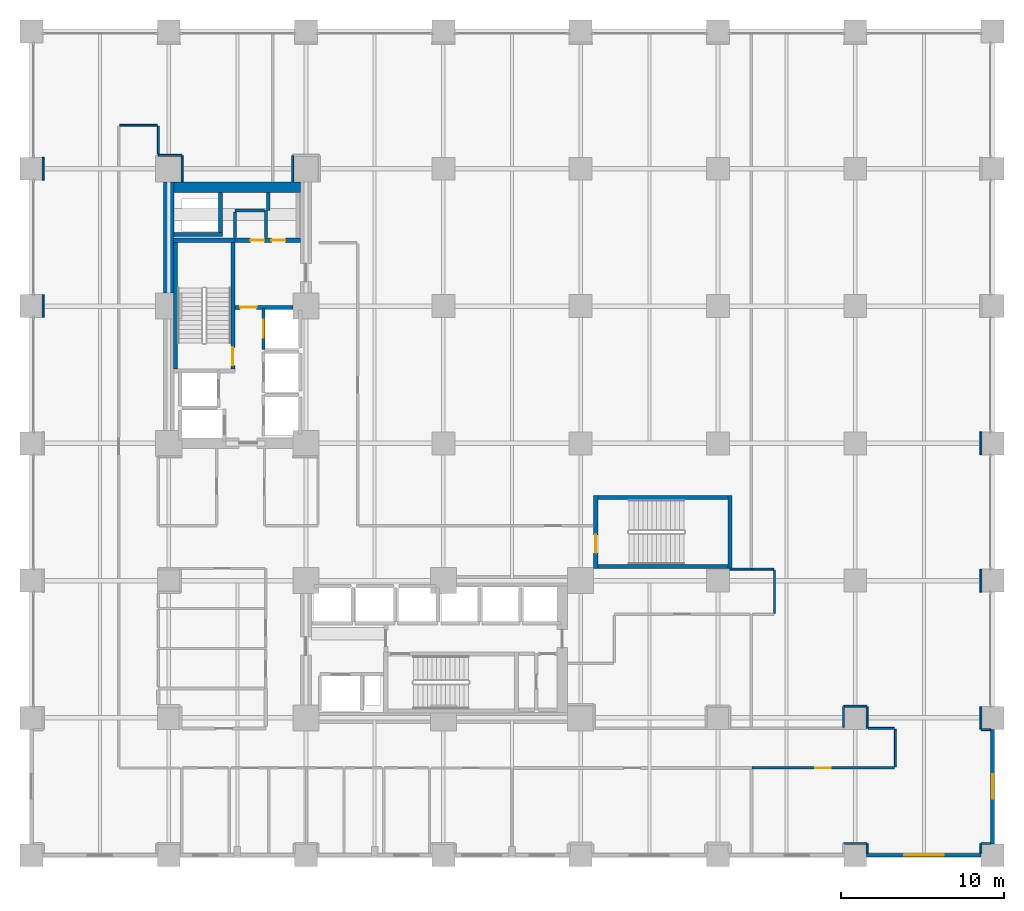
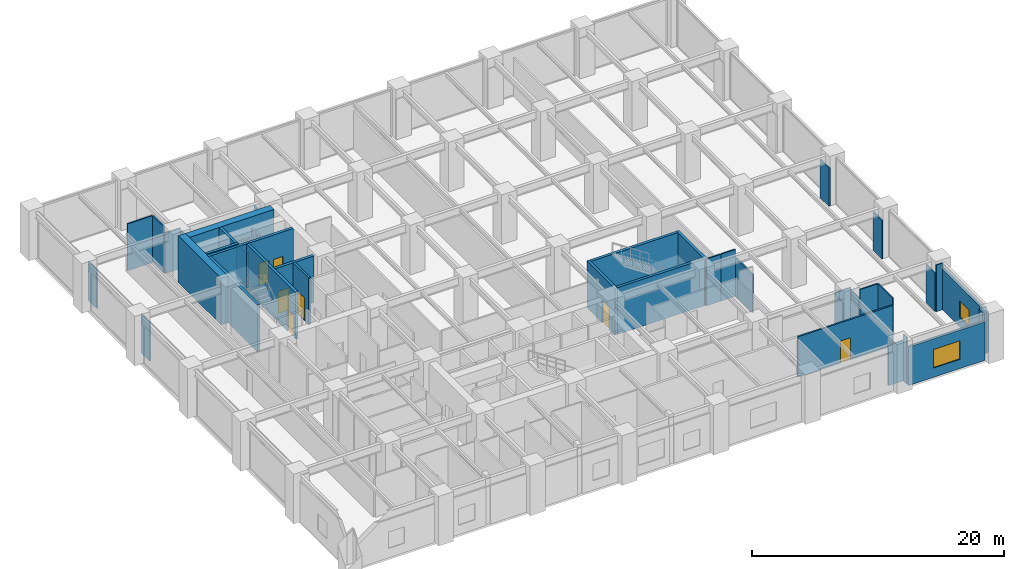
# One storey, part 22 of 24: 44 walls, 7 doors, 2 windows, 9 openings.
"""IFC4 building model written with IfcOpenShell, lengths in metres."""

from ifc_helpers import new_model, si_unit, direction, frame, frame_2d, origin, place, context, subcontext, project, spatial, rectangle, extrude, material, layer, layer_set, type_object, element, fill, save


model = new_model("IFC4")

# Units and contexts
model_context = context("Model", 3, precision=1e-05, world=origin(), true_north=direction((0.0, 1.0)))
body_context = subcontext(model_context, "Body", "Model", "MODEL_VIEW")
ifc_project = project(units=[si_unit("LENGTHUNIT", "METRE"), si_unit("AREAUNIT", "SQUARE_METRE"), si_unit("VOLUMEUNIT", "CUBIC_METRE"), si_unit("PLANEANGLEUNIT", "RADIAN"), si_unit("MASSUNIT", "GRAM", prefix="KILO")], contexts=[model_context])

# Site, building, storey
site_placement = place(None, origin())
site = spatial("IfcSite", under=ifc_project, at=site_placement, CompositionType="ELEMENT")
building_placement = place(site_placement, origin())
building = spatial("IfcBuilding", under=site, at=building_placement, Name="Nerrivon Quay Data Exchange", CompositionType="ELEMENT")
storey_placement = place(building_placement, frame((0.0, 0.0, 10.199951171875)))
storey = spatial("IfcBuildingStorey", under=building, at=storey_placement, Name="L02", CompositionType="ELEMENT", Elevation=10.199951171875)

# Wall, opening, window
ifc_material_1 = material(Name="Architectural terracotta precast concrete N50 (50 MPa)", Category="masonry")
ifc_layer_1 = layer(ifc_material_1, 0.239990234375)
ifc_layer_set_1 = layer_set([ifc_layer_1], Name="Architectural terracotta precast concrete N50 (50 MPa)")
wall_type_1 = type_object("IfcWallType", Name="EW-PREC-240", PredefinedType="STANDARD", material=ifc_layer_set_1)
wall_1_placement = place(storey_placement, frame((58.800048828125, 7.699951171875, 0.0), z_axis=(0.0, 0.0, 1.0), x_axis=(0.0, -1.0, 0.0)))
wall_1 = element("IfcWall", 1, at=wall_1_placement, inside=storey, type_object=wall_type_1, Name="L02 Podium Precast Spandrel Wall 19", PredefinedType="STANDARD", context=body_context, shape_type="SweptSolid", body=[
    extrude(rectangle(XDim=7.0, YDim=0.239990234375, at=frame_2d((3.5, 0.0))), origin(), (0.0, 0.0, 1.0), 3.9130859375),
])
opening_1_placement = place(wall_1_placement, frame((2.75, 0.0, 0.89990234375)))
opening_1 = element("IfcOpeningElement", 2, at=opening_1_placement, cuts=wall_1, Name="Opening WN4", PredefinedType="OPENING", context=body_context, shape_type="SweptSolid", body=[
    extrude(rectangle(XDim=1.5, YDim=1.60009765625, at=frame_2d((0.75, 0.800048828125))), frame((0.0, 0.1298828125, 0.0), z_axis=(0.0, -1.0, 0.0), x_axis=(1.0, 0.0, 0.0)), (0.0, 0.0, 1.0), 0.260009765625),
])
ifc_material_2 = material(Name="Double-glazed low-E solar control glass", Category="glass")
window_type_1 = type_object("IfcWindowType", Name="WIN-W4-1500x1600", PartitioningType="SINGLE_PANEL", PredefinedType="WINDOW", material=ifc_material_2)
window_1_placement = place(opening_1_placement, origin())
window_1 = element("IfcWindow", 3, at=window_1_placement, inside=storey, type_object=window_type_1, Name="L02 Solar Facade Window 19", OverallHeight=1.60009765625, OverallWidth=1.5, PartitioningType="SINGLE_PANEL", PredefinedType="WINDOW", context=body_context, shape_type="SweptSolid", body=[
    extrude(rectangle(XDim=1.5, YDim=1.60009765625, at=frame_2d((0.75, 0.800048828125))), frame((0.0, 0.030029296875, 0.0), z_axis=(0.0, -1.0, 0.0), x_axis=(1.0, 0.0, 0.0)), (0.0, 0.0, 1.0), 0.06005859375),
])
fill(opening_1, window_1)

wall_2_placement = place(storey_placement, frame((58.10009765625, 0.0, 0.0), z_axis=(0.0, 0.0, 1.0), x_axis=(-1.0, 0.0, 0.0)))
wall_2 = element("IfcWall", 4, at=wall_2_placement, inside=storey, type_object=wall_type_1, Name="L02 Podium Precast Spandrel Wall 20", PredefinedType="STANDARD", context=body_context, shape_type="SweptSolid", body=[
    extrude(rectangle(XDim=7.0, YDim=0.239990234375, at=frame_2d((3.5, 0.0))), origin(), (0.0, 0.0, 1.0), 3.72509765625),
])
opening_2_placement = place(wall_2_placement, frame((2.300048828125, 0.0, 0.89990234375)))
opening_2 = element("IfcOpeningElement", 5, at=opening_2_placement, cuts=wall_2, Name="Opening WN1", PredefinedType="OPENING", context=body_context, shape_type="SweptSolid", body=[
    extrude(rectangle(XDim=2.39990234375, YDim=1.800048828125, at=frame_2d((1.199951171875, 0.89990234375))), frame((0.0, 0.1298828125, 0.0), z_axis=(0.0, -1.0, 0.0), x_axis=(1.0, 0.0, 0.0)), (0.0, 0.0, 1.0), 0.260009765625),
])
window_type_2 = type_object("IfcWindowType", Name="WIN-W1-2400x1800", PartitioningType="SINGLE_PANEL", PredefinedType="WINDOW", material=ifc_material_2)
window_2_placement = place(opening_2_placement, origin())
window_2 = element("IfcWindow", 6, at=window_2_placement, inside=storey, type_object=window_type_2, Name="L02 Solar Facade Window 20", OverallHeight=1.800048828125, OverallWidth=2.39990234375, PartitioningType="SINGLE_PANEL", PredefinedType="WINDOW", context=body_context, shape_type="SweptSolid", body=[
    extrude(rectangle(XDim=2.39990234375, YDim=1.800048828125, at=frame_2d((1.199951171875, 0.89990234375))), frame((0.0, 0.030029296875, 0.0), z_axis=(0.0, -1.0, 0.0), x_axis=(1.0, 0.0, 0.0)), (0.0, 0.0, 1.0), 0.06005859375),
])
fill(opening_2, window_2)

# Walls
ifc_material_3 = material(Name="Concrete N80 (80 MPa)", Category="concrete")
ifc_layer_2 = layer(ifc_material_3, 0.64990234375)
ifc_layer_set_2 = layer_set([ifc_layer_2], Name="Concrete N80 (80 MPa)")
wall_type_2 = type_object("IfcWallType", Name="WALL-CW-850", PredefinedType="SHEAR", material=ifc_layer_set_2)
wall_3_placement = place(storey_placement, frame((8.39990234375, 34.39990234375, 0.0), z_axis=(0.0, 0.0, 1.0), x_axis=(0.0, 1.0, 0.0)))
element("IfcWall", 7, at=wall_3_placement, inside=storey, type_object=wall_type_2, Name="L02 West Split-Core Shear Wall WCW-W2", PredefinedType="SHEAR", context=body_context, shape_type="SweptSolid", body=[
    extrude(rectangle(XDim=6.800048828125, YDim=0.64990234375, at=frame_2d((3.39990234375, 0.0))), origin(), (0.0, 0.0, 1.0), 4.525146484375),
])
wall_4_placement = place(storey_placement, frame((8.72509765625, 40.875, 0.0), z_axis=(0.0, 0.0, 1.0), x_axis=(1.0, 0.0, 0.0)))
element("IfcWall", 8, at=wall_4_placement, inside=storey, type_object=wall_type_2, Name="L02 West Split-Core Shear Wall WCW-N1", PredefinedType="SHEAR", context=body_context, shape_type="SweptSolid", body=[
    extrude(rectangle(XDim=7.75, YDim=0.64990234375, at=frame_2d((3.875, 0.0))), origin(), (0.0, 0.0, 1.0), 4.525146484375),
])

# Wall, opening, door
ifc_material_4 = material(Name="Gypsum plasterboard on cold-formed framing", Category="gypsum")
ifc_layer_3 = layer(ifc_material_4, 0.199951171875)
ifc_layer_set_3 = layer_set([ifc_layer_3], Name="Gypsum plasterboard on cold-formed framing")
wall_type_3 = type_object("IfcWallType", Name="WALL-FW-200", PredefinedType="PARTITIONING", material=ifc_layer_set_3)
wall_5_placement = place(storey_placement, frame((14.199951171875, 30.949951171875, 0.0), z_axis=(0.0, 0.0, 1.0), x_axis=(0.0, 1.0, 0.0)))
wall_5 = element("IfcWall", 9, at=wall_5_placement, inside=storey, type_object=wall_type_3, Name="L02 Lift Front Wall PL3", PredefinedType="PARTITIONING", context=body_context, shape_type="SweptSolid", body=[
    extrude(rectangle(XDim=2.5, YDim=0.199951171875, at=frame_2d((1.25, 0.0))), origin(), (0.0, 0.0, 1.0), 4.525146484375),
])
opening_3_placement = place(wall_5_placement, frame((0.699951171875, 0.0, 0.0)))
opening_3 = element("IfcOpeningElement", 10, at=opening_3_placement, cuts=wall_5, Name="Opening LD-120", PredefinedType="OPENING", context=body_context, shape_type="SweptSolid", body=[
    extrude(rectangle(XDim=1.10009765625, YDim=2.199951171875, at=frame_2d((0.550048828125, 1.10009765625))), frame((0.0, 0.10986328125, 0.0), z_axis=(0.0, -1.0, 0.0), x_axis=(1.0, 0.0, 0.0)), (0.0, 0.0, 1.0), 0.219970703125),
])
ifc_material_5 = material(Name="Powder-coated galvanized steel sheet", Category="steel")
door_type_1 = type_object("IfcDoorType", Name="DR-LIFT-LD120", OperationType="DOUBLE_DOOR_SLIDING", PredefinedType="DOOR", material=ifc_material_5)
door_1_placement = place(opening_3_placement, origin())
door_1 = element("IfcDoor", 11, at=door_1_placement, inside=storey, type_object=door_type_1, Name="L02 Lift Landing Sliding Door PL3", OperationType="DOUBLE_DOOR_SLIDING", OverallHeight=2.199951171875, OverallWidth=1.10009765625, PredefinedType="DOOR", context=body_context, shape_type="SweptSolid", body=[
    extrude(rectangle(XDim=1.10009765625, YDim=2.199951171875, at=frame_2d((0.550048828125, 1.10009765625))), frame((0.0, 0.02490234375, 0.0), z_axis=(0.0, -1.0, 0.0), x_axis=(1.0, 0.0, 0.0)), (0.0, 0.0, 1.0), 0.050048828125),
])
fill(opening_3, door_1)

# Walls
wall_6_placement = place(storey_placement, frame((14.35009765625, 37.780029296875, 0.0), z_axis=(0.0, 0.0, 1.0), x_axis=(0.0, 1.0, 0.0)))
element("IfcWall", 12, at=wall_6_placement, inside=storey, type_object=wall_type_3, Name="L02 Partition Equipment Store", PredefinedType="PARTITIONING", context=body_context, shape_type="SweptSolid", body=[
    extrude(rectangle(XDim=1.669921875, YDim=0.199951171875, at=frame_2d((0.8349609375, 0.0))), origin(), (0.0, 0.0, 1.0), 3.425048828125),
])
wall_7_placement = place(storey_placement, frame((14.24609375, 39.449951171875, 0.0), z_axis=(0.0, 0.0, 1.0), x_axis=(-1.0, 0.0, 0.0)))
element("IfcWall", 13, at=wall_7_placement, inside=storey, type_object=wall_type_3, Name="L02 Partition Equipment Store", PredefinedType="PARTITIONING", context=body_context, shape_type="SweptSolid", body=[
    extrude(rectangle(XDim=1.796142578125, YDim=0.199951171875, at=frame_2d((0.89794921875, 0.0))), origin(), (0.0, 0.0, 1.0), 3.425048828125),
])
wall_8_placement = place(storey_placement, frame((12.449951171875, 39.345947265625, 0.0), z_axis=(0.0, 0.0, 1.0), x_axis=(0.0, -1.0, 0.0)))
element("IfcWall", 14, at=wall_8_placement, inside=storey, type_object=wall_type_3, Name="L02 Partition Equipment Store", PredefinedType="PARTITIONING", context=body_context, shape_type="SweptSolid", body=[
    extrude(rectangle(XDim=1.56591796875, YDim=0.199951171875, at=frame_2d((0.782958984375, 0.0))), origin(), (0.0, 0.0, 1.0), 3.425048828125),
])
wall_9_placement = place(storey_placement, frame((14.489990234375, 40.5458984375, 0.0), z_axis=(0.0, 0.0, 1.0), x_axis=(0.0, -1.0, 0.0)))
element("IfcWall", 15, at=wall_9_placement, inside=storey, type_object=wall_type_3, Name="L02 Partition Cleaners Store", PredefinedType="PARTITIONING", context=body_context, shape_type="SweptSolid", body=[
    extrude(rectangle(XDim=1.095947265625, YDim=0.199951171875, at=frame_2d((0.5478515625, 0.0))), origin(), (0.0, 0.0, 1.0), 3.425048828125),
])
ifc_layer_4 = layer(ifc_material_4, 0.1201171875)
ifc_layer_set_4 = layer_set([ifc_layer_4], Name="Gypsum plasterboard on cold-formed framing")
wall_type_4 = type_object("IfcWallType", Name="WALL-PT-120", PredefinedType="PARTITIONING", material=ifc_layer_set_4)
wall_10_placement = place(storey_placement, frame((15.97998046875, 41.2041015625, 0.0), z_axis=(0.0, 0.0, 1.0), x_axis=(0.0, 1.0, 0.0)))
element("IfcWall", 16, at=wall_10_placement, inside=storey, type_object=wall_type_4, Name="L02 Partition Cloud Compute Workspace 1 13", PredefinedType="PARTITIONING", context=body_context, shape_type="SweptSolid", body=[
    extrude(rectangle(XDim=1.595947265625, YDim=0.1201171875, at=frame_2d((0.7978515625, 0.0))), origin(), (0.0, 0.0, 1.0), 3.72509765625),
])
wall_11_placement = place(storey_placement, frame((7.759765625, 42.820068359375, 0.0), z_axis=(0.0, 0.0, 1.0), x_axis=(1.0, 0.0, 0.0)))
element("IfcWall", 17, at=wall_11_placement, inside=storey, type_object=wall_type_4, Name="L02 Partition Engineers Lounge 14", PredefinedType="PARTITIONING", context=body_context, shape_type="SweptSolid", body=[
    extrude(rectangle(XDim=1.440185546875, YDim=0.1201171875, at=frame_2d((0.72021484375, 0.0))), origin(), (0.0, 0.0, 1.0), 3.9130859375),
])
wall_12_placement = place(storey_placement, frame((9.219970703125, 42.800048828125, 0.0), z_axis=(0.0, 0.0, 1.0), x_axis=(0.0, -1.0, 0.0)))
element("IfcWall", 18, at=wall_12_placement, inside=storey, type_object=wall_type_4, Name="L02 Partition Engineers Lounge 14", PredefinedType="PARTITIONING", context=body_context, shape_type="SweptSolid", body=[
    extrude(rectangle(XDim=1.595947265625, YDim=0.1201171875, at=frame_2d((0.7978515625, 0.0))), origin(), (0.0, 0.0, 1.0), 3.72509765625),
])
wall_13_placement = place(storey_placement, frame((0.719970703125, 42.699951171875, 0.0), z_axis=(0.0, 0.0, 1.0), x_axis=(0.0, -1.0, 0.0)))
element("IfcWall", 19, at=wall_13_placement, inside=storey, type_object=wall_type_4, Name="L02 Partition Engineers Lounge 14", PredefinedType="PARTITIONING", context=body_context, shape_type="SweptSolid", body=[
    extrude(rectangle(XDim=1.39990234375, YDim=0.1201171875, at=frame_2d((0.699951171875, 0.0))), origin(), (0.0, 0.0, 1.0), 3.72509765625),
])
wall_14_placement = place(storey_placement, frame((0.719970703125, 34.300048828125, 0.0), z_axis=(0.0, 0.0, 1.0), x_axis=(0.0, -1.0, 0.0)))
element("IfcWall", 20, at=wall_14_placement, inside=storey, type_object=wall_type_4, Name="L02 Partition Engineers Lounge 14", PredefinedType="PARTITIONING", context=body_context, shape_type="SweptSolid", body=[
    extrude(rectangle(XDim=1.400146484375, YDim=0.1201171875, at=frame_2d((0.7001953125, 0.0))), origin(), (0.0, 0.0, 1.0), 3.72509765625),
])
wall_15_placement = place(storey_placement, frame((5.39990234375, 44.659912109375, 0.0), z_axis=(0.0, 0.0, 1.0), x_axis=(1.0, 0.0, 0.0)))
element("IfcWall", 21, at=wall_15_placement, inside=storey, type_object=wall_type_4, Name="L02 Partition Engineers Lounge 14", PredefinedType="PARTITIONING", context=body_context, shape_type="SweptSolid", body=[
    extrude(rectangle(XDim=2.300048828125, YDim=0.1201171875, at=frame_2d((1.14990234375, 0.0))), origin(), (0.0, 0.0, 1.0), 4.525146484375),
])
wall_16_placement = place(storey_placement, frame((7.759765625, 44.60595703125, 0.0), z_axis=(0.0, 0.0, 1.0), x_axis=(0.0, -1.0, 0.0)))
element("IfcWall", 22, at=wall_16_placement, inside=storey, type_object=wall_type_4, Name="L02 Partition Engineers Lounge 14", PredefinedType="PARTITIONING", context=body_context, shape_type="SweptSolid", body=[
    extrude(rectangle(XDim=1.721923828125, YDim=0.1201171875, at=frame_2d((0.86083984375, 0.0))), origin(), (0.0, 0.0, 1.0), 4.525146484375),
])
wall_17_placement = place(storey_placement, frame((42.71728515625, 17.510009765625, 0.0), z_axis=(0.0, 0.0, 1.0), x_axis=(1.0, 0.0, 0.0)))
element("IfcWall", 23, at=wall_17_placement, inside=storey, type_object=wall_type_4, Name="L02 Partition Staff Pantry 15", PredefinedType="PARTITIONING", context=body_context, shape_type="SweptSolid", body=[
    extrude(rectangle(XDim=1.332763671875, YDim=0.1201171875, at=frame_2d((0.66650390625, 0.0))), origin(), (0.0, 0.0, 1.0), 4.525146484375),
])
wall_18_placement = place(storey_placement, frame((49.699951171875, 0.719970703125, 0.0), z_axis=(0.0, 0.0, 1.0), x_axis=(1.0, 0.0, 0.0)))
element("IfcWall", 24, at=wall_18_placement, inside=storey, type_object=wall_type_4, Name="L02 Partition Exchange Gallery Auditorium 16", PredefinedType="PARTITIONING", context=body_context, shape_type="SweptSolid", body=[
    extrude(rectangle(XDim=1.400146484375, YDim=0.1201171875, at=frame_2d((0.7001953125, 0.0))), origin(), (0.0, 0.0, 1.0), 3.9130859375),
])
for number, where, z_axis, x_axis, name in (
    (25, (51.1201171875, 0.699951171875, 0.0), (0.0, 0.0, 1.0), (0.0, -1.0, 0.0), "L02 Partition Exchange Gallery Auditorium 16"),
    (26, (58.080078125, 0.1240234375, 0.0), (0.0, 0.0, 1.0), (0.0, 1.0, 0.0), "L02 Partition Exchange Gallery Auditorium 16"),
    (27, (58.10009765625, 0.719970703125, 0.0), (0.0, 0.0, 1.0), (1.0, 0.0, 0.0), "L02 Partition Exchange Gallery Auditorium 16"),
    (28, (58.676025390625, 7.679931640625, 0.0), (0.0, 0.0, 1.0), (-1.0, 0.0, 0.0), "L02 Partition Exchange Gallery Auditorium 16"),
):
    element("IfcWall", number, at=place(storey_placement, frame(where, z_axis=z_axis, x_axis=x_axis)), inside=storey, type_object=wall_type_4, Name=name, PredefinedType="PARTITIONING", context=body_context, shape_type="SweptSolid", body=[
        extrude(rectangle(XDim=0.575927734375, YDim=0.1201171875, at=frame_2d((0.2880859375, 0.0))), origin(), (0.0, 0.0, 1.0), 4.525146484375),
    ])
wall_19_placement = place(storey_placement, frame((58.080078125, 7.699951171875, 0.0), z_axis=(0.0, 0.0, 1.0), x_axis=(0.0, 1.0, 0.0)))
element("IfcWall", 29, at=wall_19_placement, inside=storey, type_object=wall_type_4, Name="L02 Partition Exchange Gallery Auditorium 16", PredefinedType="PARTITIONING", context=body_context, shape_type="SweptSolid", body=[
    extrude(rectangle(XDim=1.400146484375, YDim=0.1201171875, at=frame_2d((0.7001953125, 0.0))), origin(), (0.0, 0.0, 1.0), 3.72509765625),
])
for number, where, z_axis, x_axis, name in (
    (30, (58.080078125, 16.10009765625, 0.0), (0.0, 0.0, 1.0), (0.0, 1.0, 0.0), "L02 Partition Exchange Gallery Auditorium 16"),
    (31, (58.080078125, 24.5, 0.0), (0.0, 0.0, 1.0), (0.0, 1.0, 0.0), "L02 Partition Exchange Gallery Auditorium 16"),
):
    element("IfcWall", number, at=place(storey_placement, frame(where, z_axis=z_axis, x_axis=x_axis)), inside=storey, type_object=wall_type_4, Name=name, PredefinedType="PARTITIONING", context=body_context, shape_type="SweptSolid", body=[
        extrude(rectangle(XDim=1.39990234375, YDim=0.1201171875, at=frame_2d((0.699951171875, 0.0))), origin(), (0.0, 0.0, 1.0), 3.72509765625),
    ])
wall_20_placement = place(storey_placement, frame((44.070068359375, 17.510009765625, 0.0), z_axis=(0.0, 0.0, 1.0), x_axis=(1.0, 0.0, 0.0)))
element("IfcWall", 32, at=wall_20_placement, inside=storey, type_object=wall_type_4, Name="L02 Partition Exchange Gallery Auditorium 16", PredefinedType="PARTITIONING", context=body_context, shape_type="SweptSolid", body=[
    extrude(rectangle(XDim=1.329833984375, YDim=0.1201171875, at=frame_2d((0.6650390625, 0.0))), origin(), (0.0, 0.0, 1.0), 4.525146484375),
])
wall_21_placement = place(storey_placement, frame((45.4599609375, 17.449951171875, 0.0), z_axis=(0.0, 0.0, 1.0), x_axis=(0.0, -1.0, 0.0)))
element("IfcWall", 33, at=wall_21_placement, inside=storey, type_object=wall_type_4, Name="L02 Partition Exchange Gallery Auditorium 16", PredefinedType="PARTITIONING", context=body_context, shape_type="SweptSolid", body=[
    extrude(rectangle(XDim=2.64990234375, YDim=0.1201171875, at=frame_2d((1.324951171875, 0.0))), origin(), (0.0, 0.0, 1.0), 3.72509765625),
])
wall_22_placement = place(storey_placement, frame((49.679931640625, 7.839111328125, 0.0), z_axis=(0.0, 0.0, 1.0), x_axis=(0.0, 1.0, 0.0)))
element("IfcWall", 34, at=wall_22_placement, inside=storey, type_object=wall_type_4, Name="L02 Partition Exchange Gallery Auditorium 16", PredefinedType="PARTITIONING", context=body_context, shape_type="SweptSolid", body=[
    extrude(rectangle(XDim=1.260986328125, YDim=0.1201171875, at=frame_2d((0.63037109375, 0.0))), origin(), (0.0, 0.0, 1.0), 3.72509765625),
])
wall_23_placement = place(storey_placement, frame((49.699951171875, 9.1201171875, 0.0), z_axis=(0.0, 0.0, 1.0), x_axis=(0.999999758706, -0.000694685487, 0.0)))
element("IfcWall", 35, at=wall_23_placement, inside=storey, type_object=wall_type_4, Name="L02 Partition Exchange Gallery Auditorium 16", PredefinedType="PARTITIONING", context=body_context, shape_type="SweptSolid", body=[
    extrude(rectangle(XDim=1.40576171875, YDim=0.1201171875, at=frame_2d((0.702880859375, 0.0))), origin(), (0.0, 0.0, 1.0), 3.9130859375),
])
wall_24_placement = place(storey_placement, frame((51.1201171875, 9.10009765625, 0.0), z_axis=(0.0, 0.0, 1.0), x_axis=(0.0, -1.0, 0.0)))
element("IfcWall", 36, at=wall_24_placement, inside=storey, type_object=wall_type_4, Name="L02 Partition Exchange Gallery Auditorium 16", PredefinedType="PARTITIONING", context=body_context, shape_type="SweptSolid", body=[
    extrude(rectangle(XDim=1.340087890625, YDim=0.1201171875, at=frame_2d((0.669921875, 0.0))), origin(), (0.0, 0.0, 1.0), 3.72509765625),
])
wall_25_placement = place(storey_placement, frame((51.18408203125, 7.760009765625, 0.0), z_axis=(0.0, 0.0, 1.0), x_axis=(1.0, 0.0, 0.0)))
element("IfcWall", 37, at=wall_25_placement, inside=storey, type_object=wall_type_4, Name="L02 Partition Exchange Gallery Auditorium 16", PredefinedType="PARTITIONING", context=body_context, shape_type="SweptSolid", body=[
    extrude(rectangle(XDim=1.615966796875, YDim=0.1201171875, at=frame_2d((0.80810546875, 0.0))), origin(), (0.0, 0.0, 1.0), 4.525146484375),
])
wall_26_placement = place(storey_placement, frame((52.860107421875, 7.699951171875, 0.0), z_axis=(0.0, 0.0, 1.0), x_axis=(0.0, -1.0, 0.0)))
element("IfcWall", 38, at=wall_26_placement, inside=storey, type_object=wall_type_4, Name="L02 Partition Exchange Gallery Auditorium 16", PredefinedType="PARTITIONING", context=body_context, shape_type="SweptSolid", body=[
    extrude(rectangle(XDim=2.300048828125, YDim=0.1201171875, at=frame_2d((1.14990234375, 0.0))), origin(), (0.0, 0.0, 1.0), 4.525146484375),
])

# Wall, opening, door
ifc_layer_5 = layer(ifc_material_4, 0.14990234375)
ifc_layer_set_5 = layer_set([ifc_layer_5], Name="Gypsum plasterboard on cold-formed framing")
wall_type_5 = type_object("IfcWallType", Name="WALL-PT-150", PredefinedType="PARTITIONING", material=ifc_layer_set_5)
wall_27_placement = place(storey_placement, frame((52.800048828125, 5.340087890625, 0.0), z_axis=(0.0, 0.0, 1.0), x_axis=(-1.0, 0.0, 0.0)))
wall_27 = element("IfcWall", 39, at=wall_27_placement, inside=storey, type_object=wall_type_5, Name="L02 Partition Exchange Gallery Auditorium 16", PredefinedType="PARTITIONING", context=body_context, shape_type="SweptSolid", body=[
    extrude(rectangle(XDim=8.72998046875, YDim=0.14990234375, at=frame_2d((4.364990234375, 0.0))), origin(), (0.0, 0.0, 1.0), 3.9130859375),
])
opening_4_placement = place(wall_27_placement, frame((3.889892578125, 0.0, 0.0)))
opening_4 = element("IfcOpeningElement", 40, at=opening_4_placement, cuts=wall_27, Name="Opening D-01", PredefinedType="OPENING", context=body_context, shape_type="SweptSolid", body=[
    extrude(rectangle(XDim=0.949951171875, YDim=2.14990234375, at=frame_2d((0.47509765625, 1.074951171875))), frame((0.0, 0.0849609375, 0.0), z_axis=(0.0, -1.0, 0.0), x_axis=(1.0, 0.0, 0.0)), (0.0, 0.0, 1.0), 0.169921875),
])
ifc_material_6 = material(Name="Engineered hardwood timber", Category="wood")
door_type_2 = type_object("IfcDoorType", Name="DR-INT-950", OperationType="NOTDEFINED", PredefinedType="DOOR", material=ifc_material_6)
door_2_placement = place(opening_4_placement, origin())
door_2 = element("IfcDoor", 41, at=door_2_placement, inside=storey, type_object=door_type_2, Name="L02 Door Exchange Gallery Auditorium 16", OperationType="SINGLE_SWING_LEFT", OverallHeight=2.14990234375, OverallWidth=0.949951171875, PredefinedType="DOOR", context=body_context, shape_type="SweptSolid", body=[
    extrude(rectangle(XDim=0.949951171875, YDim=2.14990234375, at=frame_2d((0.47509765625, 1.074951171875))), frame((0.0, 0.02490234375, 0.0), z_axis=(0.0, -1.0, 0.0), x_axis=(1.0, 0.0, 0.0)), (0.0, 0.0, 1.0), 0.050048828125),
])
fill(opening_4, door_2)

# Wall
ifc_material_7 = material(Name="Concrete N50 (50 MPa)", Category="concrete")
ifc_layer_6 = layer(ifc_material_7, 0.25)
ifc_layer_set_6 = layer_set([ifc_layer_6], Name="Concrete N50 (50 MPa)")
wall_type_6 = type_object("IfcWallType", Name="WALL-SW-250", PredefinedType="SHEAR", material=ifc_layer_set_6)
wall_28_placement = place(storey_placement, frame((12.449951171875, 37.625, 0.0), z_axis=(0.0, 0.0, 1.0), x_axis=(-1.0, 0.0, 0.0)))
element("IfcWall", 42, at=wall_28_placement, inside=storey, type_object=wall_type_6, Name="L02 ST01 Structural Stair Core Wall FAR", PredefinedType="SHEAR", context=body_context, shape_type="SweptSolid", body=[
    extrude(rectangle(XDim=3.75, YDim=0.25, at=frame_2d((1.875, 0.0))), origin(), (0.0, 0.0, 1.0), 4.525146484375),
])

# Wall, opening, door
wall_29_placement = place(storey_placement, frame((12.324951171875, 29.75, 0.0), z_axis=(0.0, 0.0, 1.0), x_axis=(0.0, 1.0, 0.0)))
wall_29 = element("IfcWall", 43, at=wall_29_placement, inside=storey, type_object=wall_type_6, Name="L02 ST01 Structural Stair Core Wall LEFT", PredefinedType="SHEAR", context=body_context, shape_type="SweptSolid", body=[
    extrude(rectangle(XDim=7.75, YDim=0.25, at=frame_2d((3.875, 0.0))), origin(), (0.0, 0.0, 1.0), 4.525146484375),
])
opening_5_placement = place(wall_29_placement, frame((0.219970703125, 0.0, 0.0)))
opening_5 = element("IfcOpeningElement", 44, at=opening_5_placement, cuts=wall_29, Name="Opening FD-120", PredefinedType="OPENING", context=body_context, shape_type="SweptSolid", body=[
    extrude(rectangle(XDim=1.10009765625, YDim=2.14990234375, at=frame_2d((0.550048828125, 1.074951171875))), frame((0.0, 0.135009765625, 0.0), z_axis=(0.0, -1.0, 0.0), x_axis=(1.0, 0.0, 0.0)), (0.0, 0.0, 1.0), 0.27001953125),
])
door_type_3 = type_object("IfcDoorType", Name="DR-FD120-1100", OperationType="NOTDEFINED", PredefinedType="DOOR", material=ifc_material_5)
door_3_placement = place(opening_5_placement, origin())
door_3 = element("IfcDoor", 45, at=door_3_placement, inside=storey, type_object=door_type_3, Name="L02 Protected Stair Door ST01", OperationType="SINGLE_SWING_RIGHT", OverallHeight=2.14990234375, OverallWidth=1.10009765625, PredefinedType="DOOR", context=body_context, shape_type="SweptSolid", body=[
    extrude(rectangle(XDim=1.10009765625, YDim=2.14990234375, at=frame_2d((0.550048828125, 1.074951171875))), frame((0.0, 0.02490234375, 0.0), z_axis=(0.0, -1.0, 0.0), x_axis=(1.0, 0.0, 0.0)), (0.0, 0.0, 1.0), 0.050048828125),
])
fill(opening_5, door_3)

# Wall
wall_30_placement = place(storey_placement, frame((8.824951171875, 29.75, 0.0), z_axis=(0.0, 0.0, 1.0), x_axis=(0.0, 1.0, 0.0)))
element("IfcWall", 46, at=wall_30_placement, inside=storey, type_object=wall_type_6, Name="L02 ST01 Structural Stair Core Wall RIGHT", PredefinedType="SHEAR", context=body_context, shape_type="SweptSolid", body=[
    extrude(rectangle(XDim=7.75, YDim=0.25, at=frame_2d((3.875, 0.0))), origin(), (0.0, 0.0, 1.0), 4.525146484375),
])

# Wall, opening, door
wall_31_placement = place(storey_placement, frame((34.52490234375, 17.550048828125, 0.0), z_axis=(0.0, 0.0, 1.0), x_axis=(0.0, 1.0, 0.0)))
wall_31 = element("IfcWall", 47, at=wall_31_placement, inside=storey, type_object=wall_type_6, Name="L02 ST03 Structural Stair Core Wall NEAR", PredefinedType="SHEAR", context=body_context, shape_type="SweptSolid", body=[
    extrude(rectangle(XDim=4.449951171875, YDim=0.25, at=frame_2d((2.22509765625, 0.0))), origin(), (0.0, 0.0, 1.0), 4.525146484375),
])
opening_6_placement = place(wall_31_placement, frame((0.949951171875, 0.0, 0.0)))
opening_6 = element("IfcOpeningElement", 48, at=opening_6_placement, cuts=wall_31, Name="Opening FD-120", PredefinedType="OPENING", context=body_context, shape_type="SweptSolid", body=[
    extrude(rectangle(XDim=1.10009765625, YDim=2.14990234375, at=frame_2d((0.550048828125, 1.074951171875))), frame((0.0, 0.135009765625, 0.0), z_axis=(0.0, -1.0, 0.0), x_axis=(1.0, 0.0, 0.0)), (0.0, 0.0, 1.0), 0.27001953125),
])
door_4_placement = place(opening_6_placement, origin())
door_4 = element("IfcDoor", 49, at=door_4_placement, inside=storey, type_object=door_type_3, Name="L02 Protected Stair Door ST03", OperationType="SINGLE_SWING_RIGHT", OverallHeight=2.14990234375, OverallWidth=1.10009765625, PredefinedType="DOOR", context=body_context, shape_type="SweptSolid", body=[
    extrude(rectangle(XDim=1.10009765625, YDim=2.14990234375, at=frame_2d((0.550048828125, 1.074951171875))), frame((0.0, 0.02490234375, 0.0), z_axis=(0.0, -1.0, 0.0), x_axis=(1.0, 0.0, 0.0)), (0.0, 0.0, 1.0), 0.050048828125),
])
fill(opening_6, door_4)

# Walls
wall_32_placement = place(storey_placement, frame((42.72509765625, 17.550048828125, 0.0), z_axis=(0.0, 0.0, 1.0), x_axis=(0.0, 1.0, 0.0)))
element("IfcWall", 50, at=wall_32_placement, inside=storey, type_object=wall_type_6, Name="L02 ST03 Structural Stair Core Wall FAR", PredefinedType="SHEAR", context=body_context, shape_type="SweptSolid", body=[
    extrude(rectangle(XDim=4.449951171875, YDim=0.25, at=frame_2d((2.22509765625, 0.0))), origin(), (0.0, 0.0, 1.0), 4.525146484375),
])
for number, where, z_axis, x_axis, name in (
    (51, (34.64990234375, 17.675048828125, 0.0), (0.0, 0.0, 1.0), (1.0, 0.0, 0.0), "L02 ST03 Structural Stair Core Wall LEFT"),
    (52, (34.64990234375, 21.875, 0.0), (0.0, 0.0, 1.0), (1.0, 0.0, 0.0), "L02 ST03 Structural Stair Core Wall RIGHT"),
):
    element("IfcWall", number, at=place(storey_placement, frame(where, z_axis=z_axis, x_axis=x_axis)), inside=storey, type_object=wall_type_6, Name=name, PredefinedType="SHEAR", context=body_context, shape_type="SweptSolid", body=[
        extrude(rectangle(XDim=7.9501953125, YDim=0.25, at=frame_2d((3.97509765625, 0.0))), origin(), (0.0, 0.0, 1.0), 4.525146484375),
    ])
wall_33_placement = place(storey_placement, frame((8.72509765625, 37.97509765625, 0.0), z_axis=(0.0, 0.0, 1.0), x_axis=(1.0, 0.0, 0.0)))
element("IfcWall", 53, at=wall_33_placement, inside=storey, type_object=wall_type_6, Name="L02 West Core MEP Riser Shaft Wall S", PredefinedType="SHEAR", context=body_context, shape_type="SweptSolid", body=[
    extrude(rectangle(XDim=2.974853515625, YDim=0.25, at=frame_2d((1.4873046875, 0.0))), origin(), (0.0, 0.0, 1.0), 4.525146484375),
])
wall_34_placement = place(storey_placement, frame((11.574951171875, 38.10009765625, 0.0), z_axis=(0.0, 0.0, 1.0), x_axis=(0.0, 1.0, 0.0)))
element("IfcWall", 54, at=wall_34_placement, inside=storey, type_object=wall_type_6, Name="L02 West Core MEP Riser Shaft Wall E", PredefinedType="SHEAR", context=body_context, shape_type="SweptSolid", body=[
    extrude(rectangle(XDim=2.449951171875, YDim=0.25, at=frame_2d((1.22509765625, 0.0))), origin(), (0.0, 0.0, 1.0), 4.525146484375),
])

# Wall, opening, door
wall_35_placement = place(storey_placement, frame((12.449951171875, 33.52001953125, 0.0), z_axis=(0.0, 0.0, 1.0), x_axis=(1.0, 0.0, 0.0)))
wall_35 = element("IfcWall", 55, at=wall_35_placement, inside=storey, type_object=wall_type_6, Name="L02 West Lobby Smoke-Stop Wall", PredefinedType="SHEAR", context=body_context, shape_type="SweptSolid", body=[
    extrude(rectangle(XDim=3.550048828125, YDim=0.25, at=frame_2d((1.77490234375, 0.0))), origin(), (0.0, 0.0, 1.0), 4.525146484375),
])
opening_7_placement = place(wall_35_placement, frame((0.320068359375, 0.0, 0.0)))
opening_7 = element("IfcOpeningElement", 56, at=opening_7_placement, cuts=wall_35, Name="Opening FD-60", PredefinedType="OPENING", context=body_context, shape_type="SweptSolid", body=[
    extrude(rectangle(XDim=1.0, YDim=2.14990234375, at=frame_2d((0.5, 1.074951171875))), frame((0.0, 0.135009765625, 0.0), z_axis=(0.0, -1.0, 0.0), x_axis=(1.0, 0.0, 0.0)), (0.0, 0.0, 1.0), 0.27001953125),
])
door_type_4 = type_object("IfcDoorType", Name="DR-FD60-1000", OperationType="NOTDEFINED", PredefinedType="DOOR", material=ifc_material_6)
door_5_placement = place(opening_7_placement, origin())
door_5 = element("IfcDoor", 57, at=door_5_placement, inside=storey, type_object=door_type_4, Name="L02 West Firefighting Lobby Fire Door", OperationType="SINGLE_SWING_LEFT", OverallHeight=2.14990234375, OverallWidth=1.0, PredefinedType="DOOR", context=body_context, shape_type="SweptSolid", body=[
    extrude(rectangle(XDim=1.0, YDim=2.14990234375, at=frame_2d((0.5, 1.074951171875))), frame((0.0, 0.02490234375, 0.0), z_axis=(0.0, -1.0, 0.0), x_axis=(1.0, 0.0, 0.0)), (0.0, 0.0, 1.0), 0.050048828125),
])
fill(opening_7, door_5)

# Wall, openings, doors
wall_36_placement = place(storey_placement, frame((12.449951171875, 37.625, 0.0), z_axis=(0.0, 0.0, 1.0), x_axis=(1.0, 0.0, 0.0)))
wall_36 = element("IfcWall", 58, at=wall_36_placement, inside=storey, type_object=wall_type_6, Name="L02 West Firefighting Lobby Wall", PredefinedType="SHEAR", context=body_context, shape_type="SweptSolid", body=[
    extrude(rectangle(XDim=4.025146484375, YDim=0.25, at=frame_2d((2.0126953125, 0.0))), origin(), (0.0, 0.0, 1.0), 4.525146484375),
])
opening_8_placement = place(wall_36_placement, frame((0.943603515625, 0.0, 0.0)))
opening_8 = element("IfcOpeningElement", 59, at=opening_8_placement, cuts=wall_36, Name="Opening FD-60S", PredefinedType="OPENING", context=body_context, shape_type="SweptSolid", body=[
    extrude(rectangle(XDim=0.85009765625, YDim=2.14990234375, at=frame_2d((0.425048828125, 1.074951171875))), frame((0.0, 0.135009765625, 0.0), z_axis=(0.0, -1.0, 0.0), x_axis=(1.0, 0.0, 0.0)), (0.0, 0.0, 1.0), 0.27001953125),
])
opening_9_placement = place(wall_36_placement, frame((2.2314453125, 0.0, 0.0)))
opening_9 = element("IfcOpeningElement", 60, at=opening_9_placement, cuts=wall_36, Name="Opening FD-60S", PredefinedType="OPENING", context=body_context, shape_type="SweptSolid", body=[
    extrude(rectangle(XDim=0.85009765625, YDim=2.14990234375, at=frame_2d((0.425048828125, 1.074951171875))), frame((0.0, 0.135009765625, 0.0), z_axis=(0.0, -1.0, 0.0), x_axis=(1.0, 0.0, 0.0)), (0.0, 0.0, 1.0), 0.27001953125),
])
door_type_5 = type_object("IfcDoorType", Name="DR-FD60-850", OperationType="NOTDEFINED", PredefinedType="DOOR", material=ifc_material_6)
door_6_placement = place(opening_8_placement, origin())
door_6 = element("IfcDoor", 61, at=door_6_placement, inside=storey, type_object=door_type_5, Name="L02 Door Equipment Store", OperationType="SINGLE_SWING_LEFT", OverallHeight=2.14990234375, OverallWidth=0.85009765625, PredefinedType="DOOR", context=body_context, shape_type="SweptSolid", body=[
    extrude(rectangle(XDim=0.85009765625, YDim=2.14990234375, at=frame_2d((0.425048828125, 1.074951171875))), frame((0.0, 0.02490234375, 0.0), z_axis=(0.0, -1.0, 0.0), x_axis=(1.0, 0.0, 0.0)), (0.0, 0.0, 1.0), 0.050048828125),
])
fill(opening_8, door_6)
door_7_placement = place(opening_9_placement, origin())
door_7 = element("IfcDoor", 62, at=door_7_placement, inside=storey, type_object=door_type_5, Name="L02 Door Cleaners Store", OperationType="SINGLE_SWING_RIGHT", OverallHeight=2.14990234375, OverallWidth=0.85009765625, PredefinedType="DOOR", context=body_context, shape_type="SweptSolid", body=[
    extrude(rectangle(XDim=0.85009765625, YDim=2.14990234375, at=frame_2d((0.425048828125, 1.074951171875))), frame((0.0, 0.02490234375, 0.0), z_axis=(0.0, -1.0, 0.0), x_axis=(1.0, 0.0, 0.0)), (0.0, 0.0, 1.0), 0.050048828125),
])
fill(opening_9, door_7)

save(model, "model.ifc")
